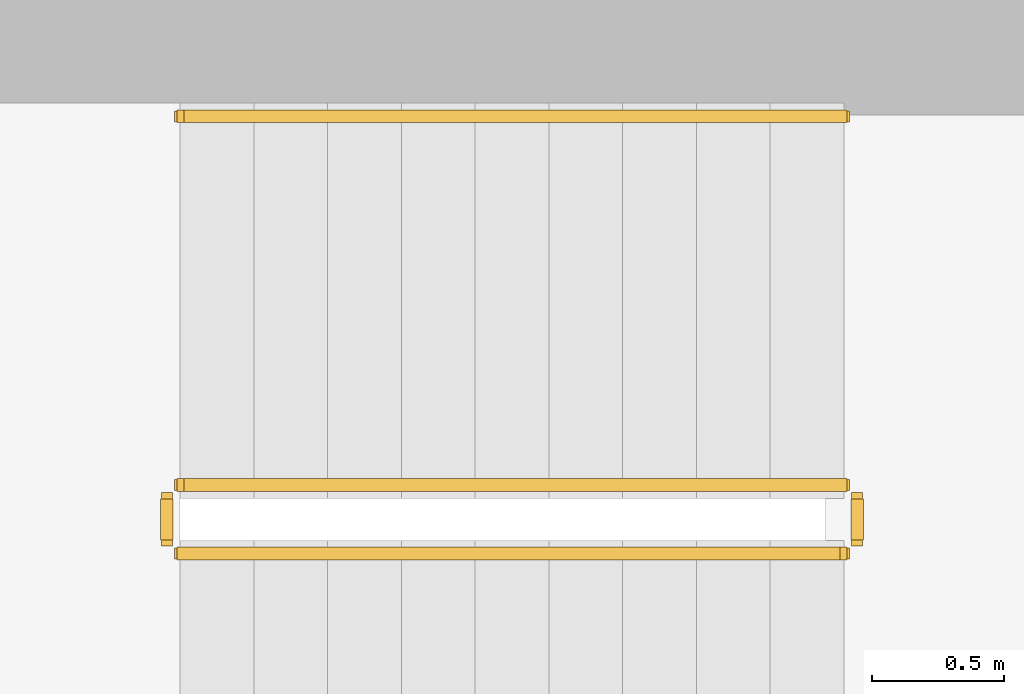
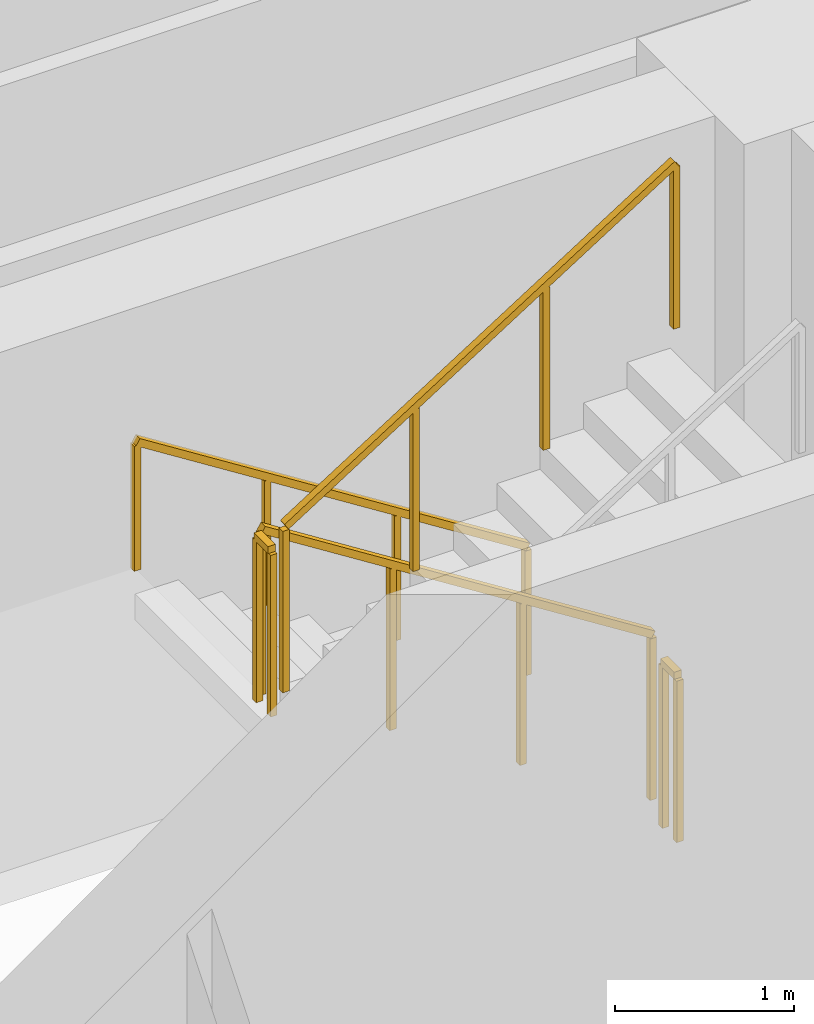
# One storey, part 11 of 12: 5 railings.
"""IFC4 building model written with IfcOpenShell, lengths in metres."""

from ifc_helpers import new_model, si_unit, direction, frame, origin, origin_2d, place, context, subcontext, project, spatial, rectangle, extrude, material, type_object, element, save


model = new_model("IFC4")

# Units and contexts
model_context = context("Model", 3, precision=1e-05, world=origin(), true_north=direction((0.0, 1.0)))
body_context = subcontext(model_context, "Body", "Model", "MODEL_VIEW")
ifc_project = project(units=[si_unit("LENGTHUNIT", "METRE"), si_unit("AREAUNIT", "SQUARE_METRE"), si_unit("VOLUMEUNIT", "CUBIC_METRE"), si_unit("PLANEANGLEUNIT", "RADIAN"), si_unit("MASSUNIT", "GRAM", prefix="KILO")], contexts=[model_context])

# Site, building, storey
site_placement = place(None, origin())
site = spatial("IfcSite", under=ifc_project, at=site_placement, CompositionType="ELEMENT")
building_placement = place(site_placement, origin())
building = spatial("IfcBuilding", under=site, at=building_placement, Name="Zarnavel Station Tower", CompositionType="ELEMENT")
storey_placement = place(building_placement, frame((0.0, 0.0, 144.800048828125)))
storey = spatial("IfcBuildingStorey", under=building, at=storey_placement, Name="L39", CompositionType="ELEMENT", Elevation=144.800048828125)

# Railings
ifc_material_1 = material(Name="Painted Steel S355J2 Balustrade", Category="steel")
railing_type_1 = type_object("IfcRailingType", Name="GR_INT_1150", PredefinedType="GUARDRAIL", material=ifc_material_1)
railing_1_placement = place(storey_placement, frame((19.47998046875, 35.3701171875, 0.177490234375)))
element("IfcRailing", 1, at=railing_1_placement, inside=storey, type_object=railing_type_1, Name="L39 ST1 stair guard 1", PredefinedType="GUARDRAIL", context=body_context, shape_type="SweptSolid", body=[
    extrude(rectangle(XDim=0.048095703125, YDim=0.048095703125, at=origin_2d()), frame((-0.001708984375, 0.0, 1.126953125), z_axis=(-0.84460694969, 0.0, 0.535386869969), x_axis=(0.0, -1.0, 0.0)), (0.0, 0.0, 1.0), 2.979736328125),
    extrude(rectangle(XDim=0.0419921875, YDim=0.0419921875, at=origin_2d()), origin(), (0.0, 0.0, 1.0), 1.101806640625),
    extrude(rectangle(XDim=0.0419921875, YDim=0.0419921875, at=origin_2d()), frame((-0.840087890625, 0.0, 0.532470703125)), (0.0, 0.0, 1.0), 1.101806640625),
    extrude(rectangle(XDim=0.0419921875, YDim=0.0419921875, at=origin_2d()), frame((-1.679931640625, 0.0, 1.06494140625)), (0.0, 0.0, 1.0), 1.101806640625),
    extrude(rectangle(XDim=0.0419921875, YDim=0.0419921875, at=origin_2d()), frame((-2.52001953125, 0.0, 1.597412109375)), (0.0, 0.0, 1.0), 1.101806640625),
])
railing_2_placement = place(storey_placement, frame((16.909912109375, 35.320068359375, 1.77490234375)))
element("IfcRailing", 2, at=railing_2_placement, inside=storey, type_object=railing_type_1, Name="L39 ST1 stair guard 2", PredefinedType="GUARDRAIL", context=body_context, shape_type="SweptSolid", body=[
    extrude(rectangle(XDim=0.048095703125, YDim=0.048095703125, at=origin_2d()), frame((0.0, -0.001953125, 1.1259765625), z_axis=(0.0, -1.0, 0.0), x_axis=(1.0, 0.0, 0.0)), (0.0, 0.0, 1.0), 0.15625),
    extrude(rectangle(XDim=0.0419921875, YDim=0.0419921875, at=origin_2d()), origin(), (0.0, 0.0, 1.0), 1.101806640625),
    extrude(rectangle(XDim=0.0419921875, YDim=0.0419921875, at=origin_2d()), frame((0.0, -0.16015625, 0.0)), (0.0, 0.0, 1.0), 1.101806640625),
])
railing_3_placement = place(storey_placement, frame((16.9599609375, 35.110107421875, 1.952392578125)))
element("IfcRailing", 3, at=railing_3_placement, inside=storey, type_object=railing_type_1, Name="L39 ST1 stair guard 3", PredefinedType="GUARDRAIL", context=body_context, shape_type="SweptSolid", body=[
    extrude(rectangle(XDim=0.048095703125, YDim=0.048095703125, at=origin_2d()), frame((0.001708984375, 0.0, 1.126953125), z_axis=(0.84456994832, 0.0, 0.535445237532), x_axis=(0.0, 1.0, 0.0)), (0.0, 0.0, 1.0), 2.979736328125),
    extrude(rectangle(XDim=0.0419921875, YDim=0.0419921875, at=origin_2d()), origin(), (0.0, 0.0, 1.0), 1.101806640625),
    extrude(rectangle(XDim=0.0419921875, YDim=0.0419921875, at=origin_2d()), frame((0.840087890625, 0.0, 0.532470703125)), (0.0, 0.0, 1.0), 1.101806640625),
    extrude(rectangle(XDim=0.0419921875, YDim=0.0419921875, at=origin_2d()), frame((1.679931640625, 0.0, 1.065185546875)), (0.0, 0.0, 1.0), 1.101806640625),
    extrude(rectangle(XDim=0.0419921875, YDim=0.0419921875, at=origin_2d()), frame((2.52001953125, 0.0, 1.59765625)), (0.0, 0.0, 1.0), 1.101806640625),
])
railing_4_placement = place(storey_placement, frame((19.530029296875, 35.320068359375, 0.0)))
element("IfcRailing", 4, at=railing_4_placement, inside=storey, type_object=railing_type_1, Name="L39 ST1 stair guard 4", PredefinedType="GUARDRAIL", context=body_context, shape_type="SweptSolid", body=[
    extrude(rectangle(XDim=0.048095703125, YDim=0.048095703125, at=origin_2d()), frame((0.0, -0.001953125, 1.1259765625), z_axis=(0.0, -1.0, 0.0), x_axis=(1.0, 0.0, 0.0)), (0.0, 0.0, 1.0), 0.15625),
    extrude(rectangle(XDim=0.0419921875, YDim=0.0419921875, at=origin_2d()), origin(), (0.0, 0.0, 1.0), 1.101806640625),
    extrude(rectangle(XDim=0.0419921875, YDim=0.0419921875, at=origin_2d()), frame((0.0, -0.16015625, 0.0)), (0.0, 0.0, 1.0), 1.101806640625),
])
ifc_material_2 = material(Name="Brushed Stainless Steel S355J2 Handrail", Category="steel")
railing_type_2 = type_object("IfcRailingType", Name="HR_STAIR_900", PredefinedType="HANDRAIL", material=ifc_material_2)
railing_5_placement = place(storey_placement, frame((19.47998046875, 36.77001953125, 0.177490234375)))
element("IfcRailing", 5, at=railing_5_placement, inside=storey, type_object=railing_type_2, Name="L39 ST1 stair handrail 1", PredefinedType="HANDRAIL", context=body_context, shape_type="SweptSolid", body=[
    extrude(rectangle(XDim=0.048095703125, YDim=0.048095703125, at=origin_2d()), frame((-0.001708984375, 0.0, 0.876953125), z_axis=(-0.84460694969, 0.0, 0.535386869969), x_axis=(0.0, -1.0, 0.0)), (0.0, 0.0, 1.0), 2.979736328125),
    extrude(rectangle(XDim=0.0419921875, YDim=0.0419921875, at=origin_2d()), origin(), (0.0, 0.0, 1.0), 0.851806640625),
    extrude(rectangle(XDim=0.0419921875, YDim=0.0419921875, at=origin_2d()), frame((-0.840087890625, 0.0, 0.532470703125)), (0.0, 0.0, 1.0), 0.851806640625),
    extrude(rectangle(XDim=0.0419921875, YDim=0.0419921875, at=origin_2d()), frame((-1.679931640625, 0.0, 1.06494140625)), (0.0, 0.0, 1.0), 0.851806640625),
    extrude(rectangle(XDim=0.0419921875, YDim=0.0419921875, at=origin_2d()), frame((-2.52001953125, 0.0, 1.597412109375)), (0.0, 0.0, 1.0), 0.851806640625),
])

save(model, "model.ifc")
